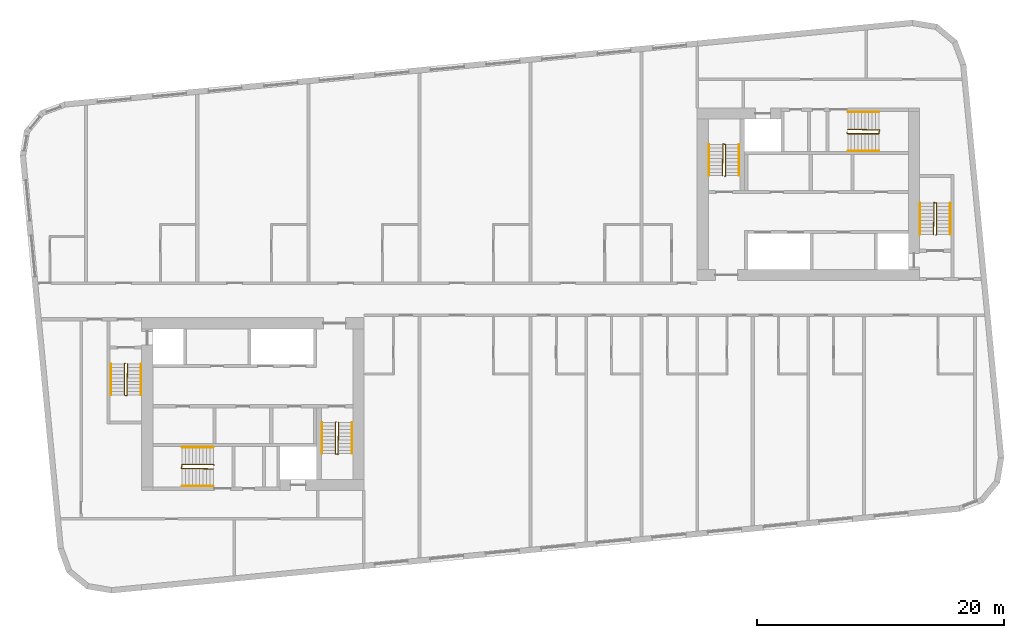
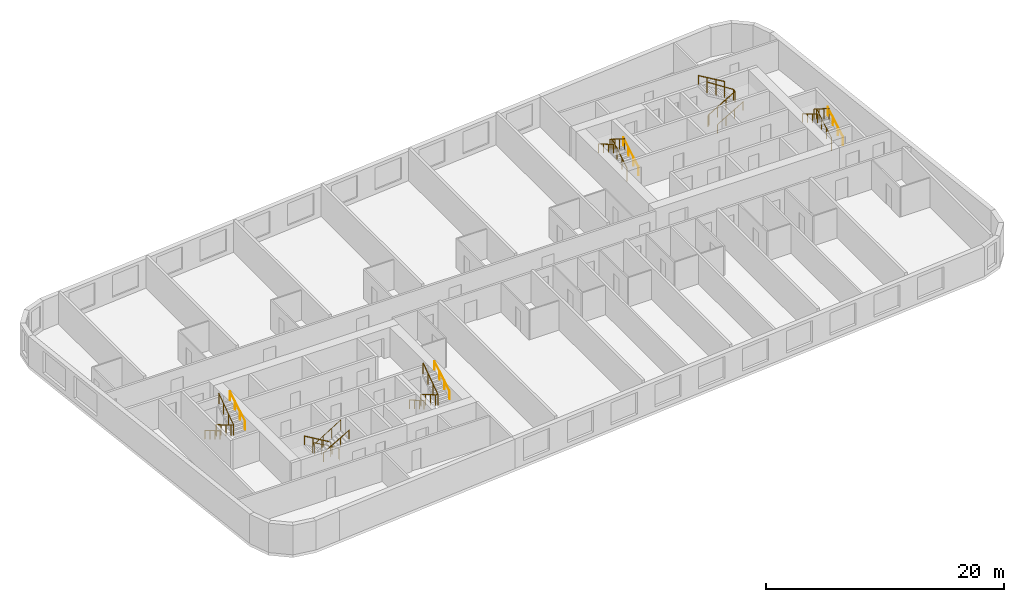
# One storey, part 11 of 11: 18 railings.
"""IFC4 building model written with IfcOpenShell, lengths in metres."""

from ifc_helpers import new_model, si_unit, direction, frame, origin, origin_2d, place, context, subcontext, project, spatial, circle, extrude, material, type_object, element, save


model = new_model("IFC4")

# Units and contexts
model_context = context("Model", 3, precision=1e-05, world=origin(), true_north=direction((0.0, 1.0)))
body_context = subcontext(model_context, "Body", "Model", "MODEL_VIEW")
ifc_project = project(units=[si_unit("LENGTHUNIT", "METRE"), si_unit("AREAUNIT", "SQUARE_METRE"), si_unit("VOLUMEUNIT", "CUBIC_METRE"), si_unit("PLANEANGLEUNIT", "RADIAN"), si_unit("MASSUNIT", "GRAM", prefix="KILO")], contexts=[model_context])

# Site, building, storey
site_placement = place(None, origin())
site = spatial("IfcSite", under=ifc_project, at=site_placement, CompositionType="ELEMENT")
building_placement = place(site_placement, origin())
building = spatial("IfcBuilding", under=site, at=building_placement, Name="Kajstack Hotel Tower", CompositionType="ELEMENT")
storey_placement = place(building_placement, frame((0.0, 0.0, 281.699951171875)))
storey = spatial("IfcBuildingStorey", under=building, at=storey_placement, Name="L70", CompositionType="ELEMENT", Elevation=281.699951171875)

# Railings
ifc_material = material(Name="Steel S355J2", Category="steel")
railing_type_1 = type_object("IfcRailingType", Name="Stair guard 1100", PredefinedType="GUARDRAIL", material=ifc_material)
railing_1_placement = place(storey_placement, frame((-32.85009765625, -5.199951171875, 0.0)))
element("IfcRailing", 1, at=railing_1_placement, inside=storey, type_object=railing_type_1, Name="L70 W1 stair guard 1", PredefinedType="GUARDRAIL", context=body_context, shape_type="SweptSolid", body=[
    extrude(circle(Radius=0.02392578125, at=origin_2d()), frame((0.0, 0.0, 1.076171875), z_axis=(-0.277450376394, -0.278810427259, 0.919394384522), x_axis=(0.708833529934, -0.705375805398, 0.0)), (0.0, 0.0, 1.0), 0.179443359375),
    extrude(circle(Radius=0.02392578125, at=origin_2d()), frame((-0.0498046875, -0.050048828125, 1.2412109375), z_axis=(0.0, -0.86152411907, 0.507716645641), x_axis=(1.0, 0.0, 0.0)), (0.0, 0.0, 1.0), 2.925048828125),
    extrude(circle(Radius=0.02392578125, at=origin_2d()), frame((-0.0498046875, -2.570068359375, 2.72607421875), z_axis=(0.970072785993, -0.242814311512, 0.0), x_axis=(0.242814311512, 0.970072785993, 0.0)), (0.0, 0.0, 1.0), 0.2060546875),
    extrude(circle(Radius=0.02392578125, at=origin_2d()), frame((0.150146484375, -2.6201171875, 2.72607421875), z_axis=(0.016385308676, 0.841405582595, 0.540155687962), x_axis=(-0.999810440751, 0.019470042781, 0.0)), (0.0, 0.0, 1.0), 3.054443359375),
    extrude(circle(Radius=0.02099609375, at=origin_2d()), origin(), (0.0, 0.0, 1.0), 1.052001953125),
    extrude(circle(Radius=0.02099609375, at=origin_2d()), frame((-0.0498046875, -0.050048828125, 0.1650390625)), (0.0, 0.0, 1.0), 1.052001953125),
    extrude(circle(Radius=0.02099609375, at=origin_2d()), frame((-0.0498046875, -0.89013671875, 0.66015625)), (0.0, 0.0, 1.0), 1.052001953125),
    extrude(circle(Radius=0.02099609375, at=origin_2d()), frame((-0.0498046875, -1.72998046875, 1.155029296875)), (0.0, 0.0, 1.0), 1.052001953125),
    extrude(circle(Radius=0.02099609375, at=origin_2d()), frame((-0.0498046875, -2.570068359375, 1.650146484375)), (0.0, 0.0, 1.0), 1.052001953125),
    extrude(circle(Radius=0.02099609375, at=origin_2d()), frame((0.150146484375, -2.6201171875, 1.650146484375)), (0.0, 0.0, 1.0), 1.052001953125),
    extrude(circle(Radius=0.02099609375, at=origin_2d()), frame((0.166748046875, -1.763427734375, 2.2001953125)), (0.0, 0.0, 1.0), 1.052001953125),
    extrude(circle(Radius=0.02099609375, at=origin_2d()), frame((0.18359375, -0.90673828125, 2.75)), (0.0, 0.0, 1.0), 1.052001953125),
    extrude(circle(Radius=0.02099609375, at=origin_2d()), frame((0.2001953125, -0.050048828125, 3.300048828125)), (0.0, 0.0, 1.0), 1.052001953125),
])
railing_2_placement = place(storey_placement, frame((-15.75, -9.949951171875, 0.0)))
element("IfcRailing", 2, at=railing_2_placement, inside=storey, type_object=railing_type_1, Name="L70 W2 stair guard 1", PredefinedType="GUARDRAIL", context=body_context, shape_type="SweptSolid", body=[
    extrude(circle(Radius=0.02392578125, at=origin_2d()), frame((0.0, 0.0, 1.076171875), z_axis=(-0.278705021027, -0.278705021027, 0.919046801044), x_axis=(0.707106781187, -0.707106781187, 0.0)), (0.0, 0.0, 1.0), 0.1796875),
    extrude(circle(Radius=0.02392578125, at=origin_2d()), frame((-0.050048828125, -0.050048828125, 1.2412109375), z_axis=(0.0, -0.86152411907, 0.507716645641), x_axis=(1.0, 0.0, 0.0)), (0.0, 0.0, 1.0), 2.925048828125),
    extrude(circle(Radius=0.02392578125, at=origin_2d()), frame((-0.050048828125, -2.570068359375, 2.72607421875), z_axis=(0.970072785993, -0.242814311512, 0.0), x_axis=(0.242814311512, 0.970072785993, 0.0)), (0.0, 0.0, 1.0), 0.2060546875),
    extrude(circle(Radius=0.02392578125, at=origin_2d()), frame((0.14990234375, -2.6201171875, 2.72607421875), z_axis=(0.016385308676, 0.841405582595, 0.540155687962), x_axis=(-0.999810440751, 0.019470042781, 0.0)), (0.0, 0.0, 1.0), 3.054443359375),
    extrude(circle(Radius=0.02099609375, at=origin_2d()), origin(), (0.0, 0.0, 1.0), 1.052001953125),
    extrude(circle(Radius=0.02099609375, at=origin_2d()), frame((-0.050048828125, -0.050048828125, 0.1650390625)), (0.0, 0.0, 1.0), 1.052001953125),
    extrude(circle(Radius=0.02099609375, at=origin_2d()), frame((-0.050048828125, -0.89013671875, 0.66015625)), (0.0, 0.0, 1.0), 1.052001953125),
    extrude(circle(Radius=0.02099609375, at=origin_2d()), frame((-0.050048828125, -1.72998046875, 1.155029296875)), (0.0, 0.0, 1.0), 1.052001953125),
    extrude(circle(Radius=0.02099609375, at=origin_2d()), frame((-0.050048828125, -2.570068359375, 1.650146484375)), (0.0, 0.0, 1.0), 1.052001953125),
    extrude(circle(Radius=0.02099609375, at=origin_2d()), frame((0.14990234375, -2.6201171875, 1.650146484375)), (0.0, 0.0, 1.0), 1.052001953125),
    extrude(circle(Radius=0.02099609375, at=origin_2d()), frame((0.16650390625, -1.763427734375, 2.2001953125)), (0.0, 0.0, 1.0), 1.052001953125),
    extrude(circle(Radius=0.02099609375, at=origin_2d()), frame((0.183349609375, -0.90673828125, 2.75)), (0.0, 0.0, 1.0), 1.052001953125),
    extrude(circle(Radius=0.02099609375, at=origin_2d()), frame((0.199951171875, -0.050048828125, 3.300048828125)), (0.0, 0.0, 1.0), 1.052001953125),
])
railing_3_placement = place(storey_placement, frame((-25.64990234375, -13.449951171875, 0.0)))
element("IfcRailing", 3, at=railing_3_placement, inside=storey, type_object=railing_type_1, Name="L70 W3 stair guard 1", PredefinedType="GUARDRAIL", context=body_context, shape_type="SweptSolid", body=[
    extrude(circle(Radius=0.02392578125, at=origin_2d()), frame((0.0, 0.0, 1.076171875), z_axis=(-0.278705021027, 0.278705021027, 0.919046801044), x_axis=(-0.707106781187, -0.707106781187, 0.0)), (0.0, 0.0, 1.0), 0.1796875),
    extrude(circle(Radius=0.02392578125, at=origin_2d()), frame((-0.050048828125, 0.050048828125, 1.2412109375), z_axis=(-0.86152411907, 0.0, 0.507716645641), x_axis=(0.0, -1.0, 0.0)), (0.0, 0.0, 1.0), 2.925048828125),
    extrude(circle(Radius=0.02392578125, at=origin_2d()), frame((-2.570068359375, 0.050048828125, 2.72607421875), z_axis=(-0.164529134168, -0.986372223864, 0.0), x_axis=(0.986372223864, -0.164529134168, 0.0)), (0.0, 0.0, 1.0), 0.30419921875),
    extrude(circle(Radius=0.02392578125, at=origin_2d()), frame((-2.6201171875, -0.25, 2.72607421875), z_axis=(0.841405582595, -0.016385308676, 0.540155687962), x_axis=(0.019470042781, 0.999810440751, 0.0)), (0.0, 0.0, 1.0), 3.054443359375),
    extrude(circle(Radius=0.02099609375, at=origin_2d()), origin(), (0.0, 0.0, 1.0), 1.052001953125),
    extrude(circle(Radius=0.02099609375, at=origin_2d()), frame((-0.050048828125, 0.050048828125, 0.1650390625)), (0.0, 0.0, 1.0), 1.052001953125),
    extrude(circle(Radius=0.02099609375, at=origin_2d()), frame((-0.89013671875, 0.050048828125, 0.66015625)), (0.0, 0.0, 1.0), 1.052001953125),
    extrude(circle(Radius=0.02099609375, at=origin_2d()), frame((-1.72998046875, 0.050048828125, 1.155029296875)), (0.0, 0.0, 1.0), 1.052001953125),
    extrude(circle(Radius=0.02099609375, at=origin_2d()), frame((-2.570068359375, 0.050048828125, 1.650146484375)), (0.0, 0.0, 1.0), 1.052001953125),
    extrude(circle(Radius=0.02099609375, at=origin_2d()), frame((-2.6201171875, -0.25, 1.650146484375)), (0.0, 0.0, 1.0), 1.052001953125),
    extrude(circle(Radius=0.02099609375, at=origin_2d()), frame((-1.763427734375, -0.2666015625, 2.2001953125)), (0.0, 0.0, 1.0), 1.052001953125),
    extrude(circle(Radius=0.02099609375, at=origin_2d()), frame((-0.90673828125, -0.283447265625, 2.75)), (0.0, 0.0, 1.0), 1.052001953125),
    extrude(circle(Radius=0.02099609375, at=origin_2d()), frame((-0.050048828125, -0.300048828125, 3.300048828125)), (0.0, 0.0, 1.0), 1.052001953125),
])
railing_4_placement = place(storey_placement, frame((32.85009765625, 5.199951171875, 0.0)))
element("IfcRailing", 4, at=railing_4_placement, inside=storey, type_object=railing_type_1, Name="L70 E1 stair guard 1", PredefinedType="GUARDRAIL", context=body_context, shape_type="SweptSolid", body=[
    extrude(circle(Radius=0.02392578125, at=origin_2d()), frame((0.0, 0.0, 1.076171875), z_axis=(0.277450376394, 0.278810427259, 0.919394384522), x_axis=(-0.708833529934, 0.705375805398, 0.0)), (0.0, 0.0, 1.0), 0.179443359375),
    extrude(circle(Radius=0.02392578125, at=origin_2d()), frame((0.0498046875, 0.050048828125, 1.2412109375), z_axis=(0.0, 0.86152411907, 0.507716645641), x_axis=(-1.0, 0.0, 0.0)), (0.0, 0.0, 1.0), 2.925048828125),
    extrude(circle(Radius=0.02392578125, at=origin_2d()), frame((0.0498046875, 2.570068359375, 2.72607421875), z_axis=(-0.970072785993, 0.242814311512, 0.0), x_axis=(-0.242814311512, -0.970072785993, 0.0)), (0.0, 0.0, 1.0), 0.2060546875),
    extrude(circle(Radius=0.02392578125, at=origin_2d()), frame((-0.150146484375, 2.6201171875, 2.72607421875), z_axis=(-0.016385308676, -0.841405582595, 0.540155687962), x_axis=(0.999810440751, -0.019470042781, 0.0)), (0.0, 0.0, 1.0), 3.054443359375),
    extrude(circle(Radius=0.02099609375, at=origin_2d()), origin(), (0.0, 0.0, 1.0), 1.052001953125),
    extrude(circle(Radius=0.02099609375, at=origin_2d()), frame((0.0498046875, 0.050048828125, 0.1650390625)), (0.0, 0.0, 1.0), 1.052001953125),
    extrude(circle(Radius=0.02099609375, at=origin_2d()), frame((0.0498046875, 0.89013671875, 0.66015625)), (0.0, 0.0, 1.0), 1.052001953125),
    extrude(circle(Radius=0.02099609375, at=origin_2d()), frame((0.0498046875, 1.72998046875, 1.155029296875)), (0.0, 0.0, 1.0), 1.052001953125),
    extrude(circle(Radius=0.02099609375, at=origin_2d()), frame((0.0498046875, 2.570068359375, 1.650146484375)), (0.0, 0.0, 1.0), 1.052001953125),
    extrude(circle(Radius=0.02099609375, at=origin_2d()), frame((-0.150146484375, 2.6201171875, 1.650146484375)), (0.0, 0.0, 1.0), 1.052001953125),
    extrude(circle(Radius=0.02099609375, at=origin_2d()), frame((-0.166748046875, 1.763427734375, 2.2001953125)), (0.0, 0.0, 1.0), 1.052001953125),
    extrude(circle(Radius=0.02099609375, at=origin_2d()), frame((-0.18359375, 0.90673828125, 2.75)), (0.0, 0.0, 1.0), 1.052001953125),
    extrude(circle(Radius=0.02099609375, at=origin_2d()), frame((-0.2001953125, 0.050048828125, 3.300048828125)), (0.0, 0.0, 1.0), 1.052001953125),
])
railing_5_placement = place(storey_placement, frame((15.75, 9.949951171875, 0.0)))
element("IfcRailing", 5, at=railing_5_placement, inside=storey, type_object=railing_type_1, Name="L70 E2 stair guard 1", PredefinedType="GUARDRAIL", context=body_context, shape_type="SweptSolid", body=[
    extrude(circle(Radius=0.02392578125, at=origin_2d()), frame((0.0, 0.0, 1.076171875), z_axis=(0.278705021027, 0.278705021027, 0.919046801044), x_axis=(-0.707106781187, 0.707106781187, 0.0)), (0.0, 0.0, 1.0), 0.1796875),
    extrude(circle(Radius=0.02392578125, at=origin_2d()), frame((0.050048828125, 0.050048828125, 1.2412109375), z_axis=(0.0, 0.86152411907, 0.507716645641), x_axis=(-1.0, 0.0, 0.0)), (0.0, 0.0, 1.0), 2.925048828125),
    extrude(circle(Radius=0.02392578125, at=origin_2d()), frame((0.050048828125, 2.570068359375, 2.72607421875), z_axis=(-0.970072785993, 0.242814311512, 0.0), x_axis=(-0.242814311512, -0.970072785993, 0.0)), (0.0, 0.0, 1.0), 0.2060546875),
    extrude(circle(Radius=0.02392578125, at=origin_2d()), frame((-0.14990234375, 2.6201171875, 2.72607421875), z_axis=(-0.016385308676, -0.841405582595, 0.540155687962), x_axis=(0.999810440751, -0.019470042781, 0.0)), (0.0, 0.0, 1.0), 3.054443359375),
    extrude(circle(Radius=0.02099609375, at=origin_2d()), origin(), (0.0, 0.0, 1.0), 1.052001953125),
    extrude(circle(Radius=0.02099609375, at=origin_2d()), frame((0.050048828125, 0.050048828125, 0.1650390625)), (0.0, 0.0, 1.0), 1.052001953125),
    extrude(circle(Radius=0.02099609375, at=origin_2d()), frame((0.050048828125, 0.89013671875, 0.66015625)), (0.0, 0.0, 1.0), 1.052001953125),
    extrude(circle(Radius=0.02099609375, at=origin_2d()), frame((0.050048828125, 1.72998046875, 1.155029296875)), (0.0, 0.0, 1.0), 1.052001953125),
    extrude(circle(Radius=0.02099609375, at=origin_2d()), frame((0.050048828125, 2.570068359375, 1.650146484375)), (0.0, 0.0, 1.0), 1.052001953125),
    extrude(circle(Radius=0.02099609375, at=origin_2d()), frame((-0.14990234375, 2.6201171875, 1.650146484375)), (0.0, 0.0, 1.0), 1.052001953125),
    extrude(circle(Radius=0.02099609375, at=origin_2d()), frame((-0.16650390625, 1.763427734375, 2.2001953125)), (0.0, 0.0, 1.0), 1.052001953125),
    extrude(circle(Radius=0.02099609375, at=origin_2d()), frame((-0.183349609375, 0.90673828125, 2.75)), (0.0, 0.0, 1.0), 1.052001953125),
    extrude(circle(Radius=0.02099609375, at=origin_2d()), frame((-0.199951171875, 0.050048828125, 3.300048828125)), (0.0, 0.0, 1.0), 1.052001953125),
])
railing_6_placement = place(storey_placement, frame((25.64990234375, 13.449951171875, 0.0)))
element("IfcRailing", 6, at=railing_6_placement, inside=storey, type_object=railing_type_1, Name="L70 E3 stair guard 1", PredefinedType="GUARDRAIL", context=body_context, shape_type="SweptSolid", body=[
    extrude(circle(Radius=0.02392578125, at=origin_2d()), frame((0.0, 0.0, 1.076171875), z_axis=(0.278705021027, -0.278705021027, 0.919046801044), x_axis=(0.707106781187, 0.707106781187, 0.0)), (0.0, 0.0, 1.0), 0.1796875),
    extrude(circle(Radius=0.02392578125, at=origin_2d()), frame((0.050048828125, -0.050048828125, 1.2412109375), z_axis=(0.86152411907, 0.0, 0.507716645641), x_axis=(0.0, 1.0, 0.0)), (0.0, 0.0, 1.0), 2.925048828125),
    extrude(circle(Radius=0.02392578125, at=origin_2d()), frame((2.570068359375, -0.050048828125, 2.72607421875), z_axis=(0.164529134168, 0.986372223864, 0.0), x_axis=(-0.986372223864, 0.164529134168, 0.0)), (0.0, 0.0, 1.0), 0.30419921875),
    extrude(circle(Radius=0.02392578125, at=origin_2d()), frame((2.6201171875, 0.25, 2.72607421875), z_axis=(-0.841405582595, 0.016385308676, 0.540155687962), x_axis=(-0.019470042781, -0.999810440751, 0.0)), (0.0, 0.0, 1.0), 3.054443359375),
    extrude(circle(Radius=0.02099609375, at=origin_2d()), origin(), (0.0, 0.0, 1.0), 1.052001953125),
    extrude(circle(Radius=0.02099609375, at=origin_2d()), frame((0.050048828125, -0.050048828125, 0.1650390625)), (0.0, 0.0, 1.0), 1.052001953125),
    extrude(circle(Radius=0.02099609375, at=origin_2d()), frame((0.89013671875, -0.050048828125, 0.66015625)), (0.0, 0.0, 1.0), 1.052001953125),
    extrude(circle(Radius=0.02099609375, at=origin_2d()), frame((1.72998046875, -0.050048828125, 1.155029296875)), (0.0, 0.0, 1.0), 1.052001953125),
    extrude(circle(Radius=0.02099609375, at=origin_2d()), frame((2.570068359375, -0.050048828125, 1.650146484375)), (0.0, 0.0, 1.0), 1.052001953125),
    extrude(circle(Radius=0.02099609375, at=origin_2d()), frame((2.6201171875, 0.25, 1.650146484375)), (0.0, 0.0, 1.0), 1.052001953125),
    extrude(circle(Radius=0.02099609375, at=origin_2d()), frame((1.763427734375, 0.2666015625, 2.2001953125)), (0.0, 0.0, 1.0), 1.052001953125),
    extrude(circle(Radius=0.02099609375, at=origin_2d()), frame((0.90673828125, 0.283447265625, 2.75)), (0.0, 0.0, 1.0), 1.052001953125),
    extrude(circle(Radius=0.02099609375, at=origin_2d()), frame((0.050048828125, 0.300048828125, 3.300048828125)), (0.0, 0.0, 1.0), 1.052001953125),
])
railing_type_2 = type_object("IfcRailingType", Name="Stair handrail 900", PredefinedType="HANDRAIL", material=ifc_material)
railing_7_placement = place(storey_placement, frame((-34.0, -5.25, 0.1650390625)))
element("IfcRailing", 7, at=railing_7_placement, inside=storey, type_object=railing_type_2, Name="L70 W1 stair handrail 1", PredefinedType="HANDRAIL", context=body_context, shape_type="SweptSolid", body=[
    extrude(circle(Radius=0.02392578125, at=origin_2d()), frame((0.0, 0.0, 0.8759765625), z_axis=(0.0, -0.86152411907, 0.507716645641), x_axis=(1.0, 0.0, 0.0)), (0.0, 0.0, 1.0), 2.925048828125),
    extrude(circle(Radius=0.02099609375, at=origin_2d()), origin(), (0.0, 0.0, 1.0), 0.851806640625),
    extrude(circle(Radius=0.02099609375, at=origin_2d()), frame((0.0, -0.840087890625, 0.4951171875)), (0.0, 0.0, 1.0), 0.851806640625),
    extrude(circle(Radius=0.02099609375, at=origin_2d()), frame((0.0, -1.679931640625, 0.989990234375)), (0.0, 0.0, 1.0), 0.851806640625),
    extrude(circle(Radius=0.02099609375, at=origin_2d()), frame((0.0, -2.52001953125, 1.485107421875)), (0.0, 0.0, 1.0), 0.851806640625),
])
railing_8_placement = place(storey_placement, frame((-31.550048828125, -7.77001953125, 1.81494140625)))
element("IfcRailing", 8, at=railing_8_placement, inside=storey, type_object=railing_type_2, Name="L70 W1 stair handrail 2", PredefinedType="HANDRAIL", context=body_context, shape_type="SweptSolid", body=[
    extrude(circle(Radius=0.02392578125, at=origin_2d()), frame((0.0, 0.0, 0.8759765625), z_axis=(0.0, 0.86152411907, 0.507716645641), x_axis=(-1.0, 0.0, 0.0)), (0.0, 0.0, 1.0), 2.925048828125),
    extrude(circle(Radius=0.02099609375, at=origin_2d()), origin(), (0.0, 0.0, 1.0), 0.851806640625),
    extrude(circle(Radius=0.02099609375, at=origin_2d()), frame((0.0, 0.840087890625, 0.4951171875)), (0.0, 0.0, 1.0), 0.851806640625),
    extrude(circle(Radius=0.02099609375, at=origin_2d()), frame((0.0, 1.679931640625, 0.989990234375)), (0.0, 0.0, 1.0), 0.851806640625),
    extrude(circle(Radius=0.02099609375, at=origin_2d()), frame((0.0, 2.52001953125, 1.485107421875)), (0.0, 0.0, 1.0), 0.851806640625),
])
railing_9_placement = place(storey_placement, frame((-16.89990234375, -10.0, 0.1650390625)))
element("IfcRailing", 9, at=railing_9_placement, inside=storey, type_object=railing_type_2, Name="L70 W2 stair handrail 1", PredefinedType="HANDRAIL", context=body_context, shape_type="SweptSolid", body=[
    extrude(circle(Radius=0.02392578125, at=origin_2d()), frame((0.0, 0.0, 0.8759765625), z_axis=(0.0, -0.86152411907, 0.507716645641), x_axis=(1.0, 0.0, 0.0)), (0.0, 0.0, 1.0), 2.925048828125),
    extrude(circle(Radius=0.02099609375, at=origin_2d()), origin(), (0.0, 0.0, 1.0), 0.851806640625),
    extrude(circle(Radius=0.02099609375, at=origin_2d()), frame((0.0, -0.840087890625, 0.4951171875)), (0.0, 0.0, 1.0), 0.851806640625),
    extrude(circle(Radius=0.02099609375, at=origin_2d()), frame((0.0, -1.679931640625, 0.989990234375)), (0.0, 0.0, 1.0), 0.851806640625),
    extrude(circle(Radius=0.02099609375, at=origin_2d()), frame((0.0, -2.52001953125, 1.485107421875)), (0.0, 0.0, 1.0), 0.851806640625),
])
railing_10_placement = place(storey_placement, frame((-14.449951171875, -12.52001953125, 1.81494140625)))
element("IfcRailing", 10, at=railing_10_placement, inside=storey, type_object=railing_type_2, Name="L70 W2 stair handrail 2", PredefinedType="HANDRAIL", context=body_context, shape_type="SweptSolid", body=[
    extrude(circle(Radius=0.02392578125, at=origin_2d()), frame((0.0, 0.0, 0.8759765625), z_axis=(0.0, 0.86152411907, 0.507716645641), x_axis=(-1.0, 0.0, 0.0)), (0.0, 0.0, 1.0), 2.925048828125),
    extrude(circle(Radius=0.02099609375, at=origin_2d()), origin(), (0.0, 0.0, 1.0), 0.851806640625),
    extrude(circle(Radius=0.02099609375, at=origin_2d()), frame((0.0, 0.840087890625, 0.4951171875)), (0.0, 0.0, 1.0), 0.851806640625),
    extrude(circle(Radius=0.02099609375, at=origin_2d()), frame((0.0, 1.679931640625, 0.989990234375)), (0.0, 0.0, 1.0), 0.851806640625),
    extrude(circle(Radius=0.02099609375, at=origin_2d()), frame((0.0, 2.52001953125, 1.485107421875)), (0.0, 0.0, 1.0), 0.851806640625),
])
railing_11_placement = place(storey_placement, frame((-25.699951171875, -12.0, 0.1650390625)))
element("IfcRailing", 11, at=railing_11_placement, inside=storey, type_object=railing_type_2, Name="L70 W3 stair handrail 1", PredefinedType="HANDRAIL", context=body_context, shape_type="SweptSolid", body=[
    extrude(circle(Radius=0.02392578125, at=origin_2d()), frame((0.0, 0.0, 0.8759765625), z_axis=(-0.86152411907, 0.0, 0.507716645641), x_axis=(0.0, -1.0, 0.0)), (0.0, 0.0, 1.0), 2.925048828125),
    extrude(circle(Radius=0.02099609375, at=origin_2d()), origin(), (0.0, 0.0, 1.0), 0.851806640625),
    extrude(circle(Radius=0.02099609375, at=origin_2d()), frame((-0.840087890625, 0.0, 0.4951171875)), (0.0, 0.0, 1.0), 0.851806640625),
    extrude(circle(Radius=0.02099609375, at=origin_2d()), frame((-1.679931640625, 0.0, 0.989990234375)), (0.0, 0.0, 1.0), 0.851806640625),
    extrude(circle(Radius=0.02099609375, at=origin_2d()), frame((-2.52001953125, 0.0, 1.485107421875)), (0.0, 0.0, 1.0), 0.851806640625),
])
railing_12_placement = place(storey_placement, frame((-28.219970703125, -15.14990234375, 1.81494140625)))
element("IfcRailing", 12, at=railing_12_placement, inside=storey, type_object=railing_type_2, Name="L70 W3 stair handrail 2", PredefinedType="HANDRAIL", context=body_context, shape_type="SweptSolid", body=[
    extrude(circle(Radius=0.02392578125, at=origin_2d()), frame((0.0, 0.0, 0.8759765625), z_axis=(0.86152411907, 0.0, 0.507716645641), x_axis=(0.0, 1.0, 0.0)), (0.0, 0.0, 1.0), 2.925048828125),
    extrude(circle(Radius=0.02099609375, at=origin_2d()), origin(), (0.0, 0.0, 1.0), 0.851806640625),
    extrude(circle(Radius=0.02099609375, at=origin_2d()), frame((0.840087890625, 0.0, 0.4951171875)), (0.0, 0.0, 1.0), 0.851806640625),
    extrude(circle(Radius=0.02099609375, at=origin_2d()), frame((1.679931640625, 0.0, 0.989990234375)), (0.0, 0.0, 1.0), 0.851806640625),
    extrude(circle(Radius=0.02099609375, at=origin_2d()), frame((2.52001953125, 0.0, 1.485107421875)), (0.0, 0.0, 1.0), 0.851806640625),
])
railing_13_placement = place(storey_placement, frame((34.0, 5.25, 0.1650390625)))
element("IfcRailing", 13, at=railing_13_placement, inside=storey, type_object=railing_type_2, Name="L70 E1 stair handrail 1", PredefinedType="HANDRAIL", context=body_context, shape_type="SweptSolid", body=[
    extrude(circle(Radius=0.02392578125, at=origin_2d()), frame((0.0, 0.0, 0.8759765625), z_axis=(0.0, 0.86152411907, 0.507716645641), x_axis=(-1.0, 0.0, 0.0)), (0.0, 0.0, 1.0), 2.925048828125),
    extrude(circle(Radius=0.02099609375, at=origin_2d()), origin(), (0.0, 0.0, 1.0), 0.851806640625),
    extrude(circle(Radius=0.02099609375, at=origin_2d()), frame((0.0, 0.840087890625, 0.4951171875)), (0.0, 0.0, 1.0), 0.851806640625),
    extrude(circle(Radius=0.02099609375, at=origin_2d()), frame((0.0, 1.679931640625, 0.989990234375)), (0.0, 0.0, 1.0), 0.851806640625),
    extrude(circle(Radius=0.02099609375, at=origin_2d()), frame((0.0, 2.52001953125, 1.485107421875)), (0.0, 0.0, 1.0), 0.851806640625),
])
railing_14_placement = place(storey_placement, frame((31.550048828125, 7.77001953125, 1.81494140625)))
element("IfcRailing", 14, at=railing_14_placement, inside=storey, type_object=railing_type_2, Name="L70 E1 stair handrail 2", PredefinedType="HANDRAIL", context=body_context, shape_type="SweptSolid", body=[
    extrude(circle(Radius=0.02392578125, at=origin_2d()), frame((0.0, 0.0, 0.8759765625), z_axis=(0.0, -0.86152411907, 0.507716645641), x_axis=(1.0, 0.0, 0.0)), (0.0, 0.0, 1.0), 2.925048828125),
    extrude(circle(Radius=0.02099609375, at=origin_2d()), origin(), (0.0, 0.0, 1.0), 0.851806640625),
    extrude(circle(Radius=0.02099609375, at=origin_2d()), frame((0.0, -0.840087890625, 0.4951171875)), (0.0, 0.0, 1.0), 0.851806640625),
    extrude(circle(Radius=0.02099609375, at=origin_2d()), frame((0.0, -1.679931640625, 0.989990234375)), (0.0, 0.0, 1.0), 0.851806640625),
    extrude(circle(Radius=0.02099609375, at=origin_2d()), frame((0.0, -2.52001953125, 1.485107421875)), (0.0, 0.0, 1.0), 0.851806640625),
])
railing_15_placement = place(storey_placement, frame((16.89990234375, 10.0, 0.1650390625)))
element("IfcRailing", 15, at=railing_15_placement, inside=storey, type_object=railing_type_2, Name="L70 E2 stair handrail 1", PredefinedType="HANDRAIL", context=body_context, shape_type="SweptSolid", body=[
    extrude(circle(Radius=0.02392578125, at=origin_2d()), frame((0.0, 0.0, 0.8759765625), z_axis=(0.0, 0.86152411907, 0.507716645641), x_axis=(-1.0, 0.0, 0.0)), (0.0, 0.0, 1.0), 2.925048828125),
    extrude(circle(Radius=0.02099609375, at=origin_2d()), origin(), (0.0, 0.0, 1.0), 0.851806640625),
    extrude(circle(Radius=0.02099609375, at=origin_2d()), frame((0.0, 0.840087890625, 0.4951171875)), (0.0, 0.0, 1.0), 0.851806640625),
    extrude(circle(Radius=0.02099609375, at=origin_2d()), frame((0.0, 1.679931640625, 0.989990234375)), (0.0, 0.0, 1.0), 0.851806640625),
    extrude(circle(Radius=0.02099609375, at=origin_2d()), frame((0.0, 2.52001953125, 1.485107421875)), (0.0, 0.0, 1.0), 0.851806640625),
])
railing_16_placement = place(storey_placement, frame((14.449951171875, 12.52001953125, 1.81494140625)))
element("IfcRailing", 16, at=railing_16_placement, inside=storey, type_object=railing_type_2, Name="L70 E2 stair handrail 2", PredefinedType="HANDRAIL", context=body_context, shape_type="SweptSolid", body=[
    extrude(circle(Radius=0.02392578125, at=origin_2d()), frame((0.0, 0.0, 0.8759765625), z_axis=(0.0, -0.86152411907, 0.507716645641), x_axis=(1.0, 0.0, 0.0)), (0.0, 0.0, 1.0), 2.925048828125),
    extrude(circle(Radius=0.02099609375, at=origin_2d()), origin(), (0.0, 0.0, 1.0), 0.851806640625),
    extrude(circle(Radius=0.02099609375, at=origin_2d()), frame((0.0, -0.840087890625, 0.4951171875)), (0.0, 0.0, 1.0), 0.851806640625),
    extrude(circle(Radius=0.02099609375, at=origin_2d()), frame((0.0, -1.679931640625, 0.989990234375)), (0.0, 0.0, 1.0), 0.851806640625),
    extrude(circle(Radius=0.02099609375, at=origin_2d()), frame((0.0, -2.52001953125, 1.485107421875)), (0.0, 0.0, 1.0), 0.851806640625),
])
railing_17_placement = place(storey_placement, frame((25.699951171875, 12.0, 0.1650390625)))
element("IfcRailing", 17, at=railing_17_placement, inside=storey, type_object=railing_type_2, Name="L70 E3 stair handrail 1", PredefinedType="HANDRAIL", context=body_context, shape_type="SweptSolid", body=[
    extrude(circle(Radius=0.02392578125, at=origin_2d()), frame((0.0, 0.0, 0.8759765625), z_axis=(0.86152411907, 0.0, 0.507716645641), x_axis=(0.0, 1.0, 0.0)), (0.0, 0.0, 1.0), 2.925048828125),
    extrude(circle(Radius=0.02099609375, at=origin_2d()), origin(), (0.0, 0.0, 1.0), 0.851806640625),
    extrude(circle(Radius=0.02099609375, at=origin_2d()), frame((0.840087890625, 0.0, 0.4951171875)), (0.0, 0.0, 1.0), 0.851806640625),
    extrude(circle(Radius=0.02099609375, at=origin_2d()), frame((1.679931640625, 0.0, 0.989990234375)), (0.0, 0.0, 1.0), 0.851806640625),
    extrude(circle(Radius=0.02099609375, at=origin_2d()), frame((2.52001953125, 0.0, 1.485107421875)), (0.0, 0.0, 1.0), 0.851806640625),
])
railing_18_placement = place(storey_placement, frame((28.219970703125, 15.14990234375, 1.81494140625)))
element("IfcRailing", 18, at=railing_18_placement, inside=storey, type_object=railing_type_2, Name="L70 E3 stair handrail 2", PredefinedType="HANDRAIL", context=body_context, shape_type="SweptSolid", body=[
    extrude(circle(Radius=0.02392578125, at=origin_2d()), frame((0.0, 0.0, 0.8759765625), z_axis=(-0.86152411907, 0.0, 0.507716645641), x_axis=(0.0, -1.0, 0.0)), (0.0, 0.0, 1.0), 2.925048828125),
    extrude(circle(Radius=0.02099609375, at=origin_2d()), origin(), (0.0, 0.0, 1.0), 0.851806640625),
    extrude(circle(Radius=0.02099609375, at=origin_2d()), frame((-0.840087890625, 0.0, 0.4951171875)), (0.0, 0.0, 1.0), 0.851806640625),
    extrude(circle(Radius=0.02099609375, at=origin_2d()), frame((-1.679931640625, 0.0, 0.989990234375)), (0.0, 0.0, 1.0), 0.851806640625),
    extrude(circle(Radius=0.02099609375, at=origin_2d()), frame((-2.52001953125, 0.0, 1.485107421875)), (0.0, 0.0, 1.0), 0.851806640625),
])

save(model, "model.ifc")
